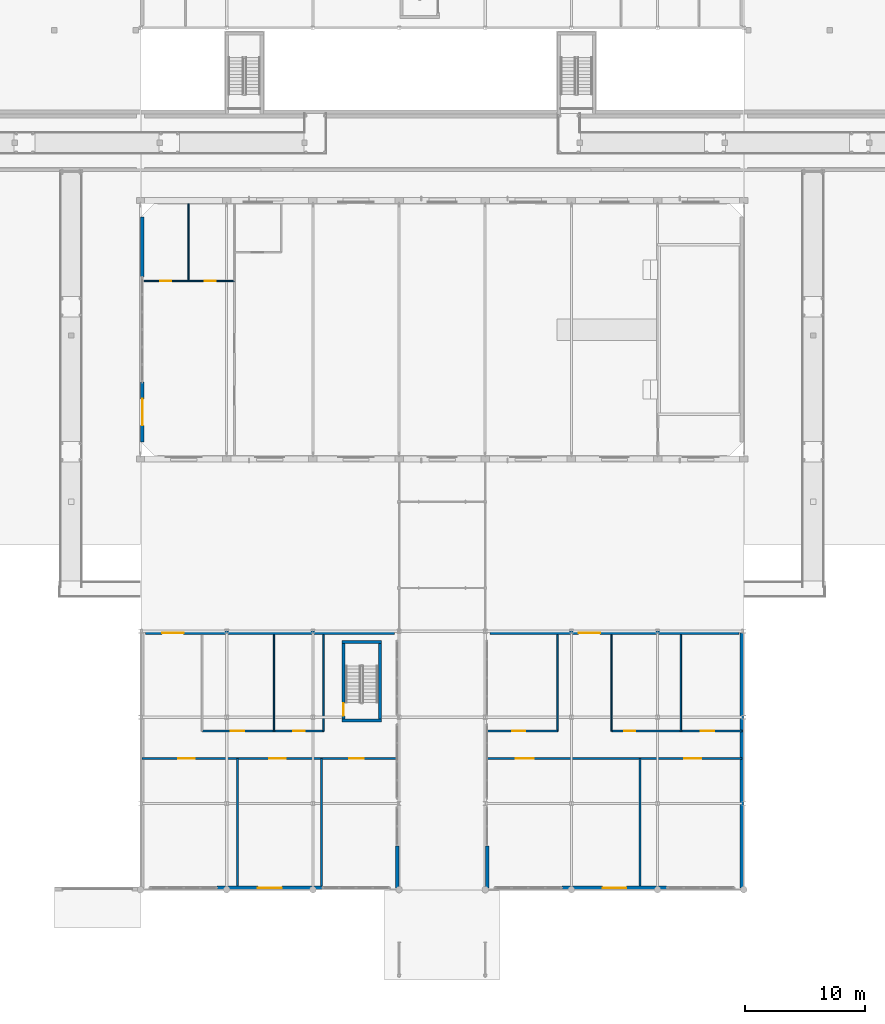
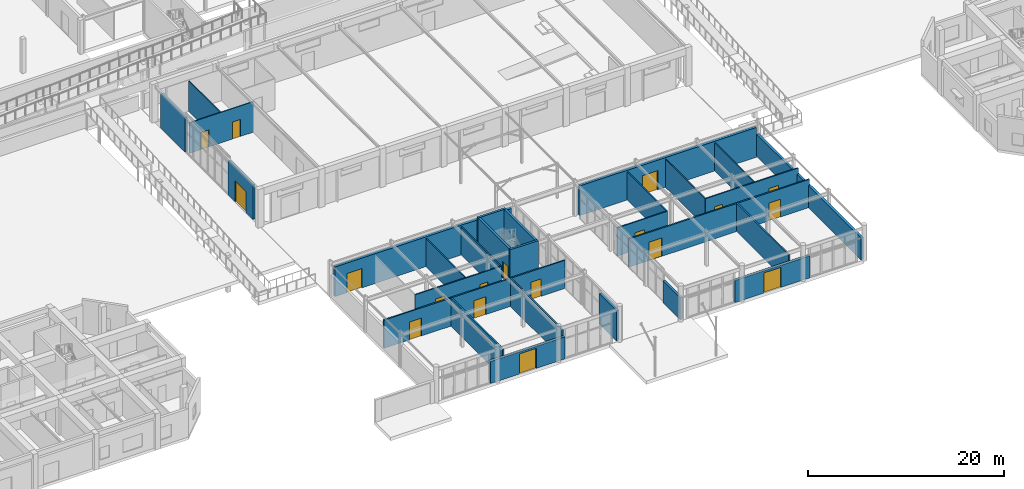
# One storey, part 57 of 85: 28 walls, 18 doors, 18 openings.
"""IFC4 building model written with IfcOpenShell, lengths in metres."""

from ifc_helpers import new_model, si_unit, direction, frame, frame_2d, origin, place, context, subcontext, project, spatial, rectangle, extrude, material, layer, layer_set, type_object, element, fill, save


model = new_model("IFC4")

# Units and contexts
model_context = context("Model", 3, precision=1e-05, world=origin(), true_north=direction((0.0, 1.0)))
body_context = subcontext(model_context, "Body", "Model", "MODEL_VIEW")
ifc_project = project(units=[si_unit("LENGTHUNIT", "METRE"), si_unit("AREAUNIT", "SQUARE_METRE"), si_unit("VOLUMEUNIT", "CUBIC_METRE"), si_unit("PLANEANGLEUNIT", "RADIAN"), si_unit("MASSUNIT", "GRAM", prefix="KILO")], contexts=[model_context])

# Site, building, storey
site_placement = place(None, origin())
site = spatial("IfcSite", under=ifc_project, at=site_placement, CompositionType="ELEMENT")
building_placement = place(site_placement, origin())
building = spatial("IfcBuilding", under=site, at=building_placement, Name="Ochrevale Crest", CompositionType="ELEMENT")
storey_placement = place(building_placement, origin())
storey = spatial("IfcBuildingStorey", under=building, at=storey_placement, Name="L00", CompositionType="ELEMENT", Elevation=0.0)

# Wall, openings, doors
ifc_material_1 = material(Name="Gypsum plasterboard", Category="gypsum")
ifc_layer_1 = layer(ifc_material_1, 0.139892578125)
ifc_layer_set_1 = layer_set([ifc_layer_1], Name="Gypsum plasterboard")
wall_type_1 = type_object("IfcWallType", Name="WL-COR-140", PredefinedType="PARTITIONING", material=ifc_layer_set_1)
wall_1_placement = place(storey_placement, frame((62.75, 20.449951171875, 0.0), z_axis=(0.0, 0.0, 1.0), x_axis=(1.0, 0.0, 0.0)))
wall_1 = element("IfcWall", 1, at=wall_1_placement, inside=storey, type_object=wall_type_1, Name="West service corridor wall", PredefinedType="PARTITIONING", context=body_context, shape_type="SweptSolid", body=[
    extrude(rectangle(XDim=10.14990234375, YDim=0.139892578125, at=frame_2d((5.074951171875, 0.0))), origin(), (0.0, 0.0, 1.0), 3.5),
])
opening_1_placement = place(wall_1_placement, frame((2.39990234375, 0.0, 0.0)))
opening_1 = element("IfcOpeningElement", 2, at=opening_1_placement, cuts=wall_1, Name="Opening ID08", PredefinedType="OPENING", context=body_context, shape_type="SweptSolid", body=[
    extrude(rectangle(XDim=1.10009765625, YDim=2.14990234375, at=frame_2d((0.550048828125, 1.074951171875))), frame((0.0, 0.080078125, 0.0), z_axis=(0.0, -1.0, 0.0), x_axis=(1.0, 0.0, 0.0)), (0.0, 0.0, 1.0), 0.159912109375),
])
opening_2_placement = place(wall_1_placement, frame((8.550048828125, 0.0, 0.0), z_axis=(0.0, 0.0, 1.0), x_axis=(-1.0, 0.0, 0.0)))
opening_2 = element("IfcOpeningElement", 3, at=opening_2_placement, cuts=wall_1, Name="Opening ID05", PredefinedType="OPENING", context=body_context, shape_type="SweptSolid", body=[
    extrude(rectangle(XDim=0.949951171875, YDim=2.1201171875, at=frame_2d((0.47509765625, 1.06005859375))), frame((0.0, 0.080078125, 0.0), z_axis=(0.0, -1.0, 0.0), x_axis=(1.0, 0.0, 0.0)), (0.0, 0.0, 1.0), 0.159912109375),
])
ifc_material_2 = material(Name="Solid-core FSC hardwood", Category="wood")
door_type_1 = type_object("IfcDoorType", Name="DR-INT-1100", OperationType="NOTDEFINED", PredefinedType="DOOR", material=ifc_material_2)
door_1_placement = place(opening_1_placement, origin())
door_1 = element("IfcDoor", 4, at=door_1_placement, inside=storey, type_object=door_type_1, Name="Grocer stockroom door", OperationType="SINGLE_SWING_LEFT", OverallHeight=2.14990234375, OverallWidth=1.10009765625, PredefinedType="DOOR", context=body_context, shape_type="SweptSolid", body=[
    extrude(rectangle(XDim=1.10009765625, YDim=2.14990234375, at=frame_2d((0.550048828125, 1.074951171875))), frame((0.0, 0.02490234375, 0.0), z_axis=(0.0, -1.0, 0.0), x_axis=(1.0, 0.0, 0.0)), (0.0, 0.0, 1.0), 0.050048828125),
])
fill(opening_1, door_1)
door_type_2 = type_object("IfcDoorType", Name="DR-WC-950", OperationType="NOTDEFINED", PredefinedType="DOOR", material=ifc_material_2)
door_2_placement = place(opening_2_placement, origin())
door_2 = element("IfcDoor", 5, at=door_2_placement, inside=storey, type_object=door_type_2, Name="West Arcade Accessible WC door", OperationType="SINGLE_SWING_RIGHT", OverallHeight=2.1201171875, OverallWidth=0.949951171875, PredefinedType="DOOR", context=body_context, shape_type="SweptSolid", body=[
    extrude(rectangle(XDim=0.949951171875, YDim=2.1201171875, at=frame_2d((0.47509765625, 1.06005859375))), frame((0.0, 0.02490234375, 0.0), z_axis=(0.0, -1.0, 0.0), x_axis=(1.0, 0.0, 0.0)), (0.0, 0.0, 1.0), 0.050048828125),
])
fill(opening_2, door_2)

# Wall, opening, door
wall_2_placement = place(storey_placement, frame((86.5400390625, 20.449951171875, 0.0), z_axis=(0.0, 0.0, 1.0), x_axis=(1.0, 0.0, 0.0)))
wall_2 = element("IfcWall", 6, at=wall_2_placement, inside=storey, type_object=wall_type_1, Name="Cafe kitchen corridor wall", PredefinedType="PARTITIONING", context=body_context, shape_type="SweptSolid", body=[
    extrude(rectangle(XDim=5.909912109375, YDim=0.139892578125, at=frame_2d((2.955078125, 0.0))), origin(), (0.0, 0.0, 1.0), 3.5),
])
opening_3_placement = place(wall_2_placement, frame((2.10009765625, 0.0, 0.0)))
opening_3 = element("IfcOpeningElement", 7, at=opening_3_placement, cuts=wall_2, Name="Opening ID08", PredefinedType="OPENING", context=body_context, shape_type="SweptSolid", body=[
    extrude(rectangle(XDim=1.10009765625, YDim=2.14990234375, at=frame_2d((0.550048828125, 1.074951171875))), frame((0.0, 0.080078125, 0.0), z_axis=(0.0, -1.0, 0.0), x_axis=(1.0, 0.0, 0.0)), (0.0, 0.0, 1.0), 0.159912109375),
])
door_3_placement = place(opening_3_placement, origin())
door_3 = element("IfcDoor", 8, at=door_3_placement, inside=storey, type_object=door_type_1, Name="Cafe kitchen door", OperationType="SINGLE_SWING_LEFT", OverallHeight=2.14990234375, OverallWidth=1.10009765625, PredefinedType="DOOR", context=body_context, shape_type="SweptSolid", body=[
    extrude(rectangle(XDim=1.10009765625, YDim=2.14990234375, at=frame_2d((0.550048828125, 1.074951171875))), frame((0.0, 0.02490234375, 0.0), z_axis=(0.0, -1.0, 0.0), x_axis=(1.0, 0.0, 0.0)), (0.0, 0.0, 1.0), 0.050048828125),
])
fill(opening_3, door_3)

# Wall, openings, doors
wall_3_placement = place(storey_placement, frame((96.949951171875, 20.449951171875, 0.0), z_axis=(0.0, 0.0, 1.0), x_axis=(1.0, 0.0, 0.0)))
wall_3 = element("IfcWall", 9, at=wall_3_placement, inside=storey, type_object=wall_type_1, Name="East WC & Fire Control wall", PredefinedType="PARTITIONING", context=body_context, shape_type="SweptSolid", body=[
    extrude(rectangle(XDim=10.91015625, YDim=0.139892578125, at=frame_2d((5.455078125, 0.0))), origin(), (0.0, 0.0, 1.0), 3.5),
])
opening_4_placement = place(wall_3_placement, frame((2.0, 0.0, 0.0), z_axis=(0.0, 0.0, 1.0), x_axis=(-1.0, 0.0, 0.0)))
opening_4 = element("IfcOpeningElement", 10, at=opening_4_placement, cuts=wall_3, Name="Opening ID05", PredefinedType="OPENING", context=body_context, shape_type="SweptSolid", body=[
    extrude(rectangle(XDim=0.949951171875, YDim=2.1201171875, at=frame_2d((0.47509765625, 1.06005859375))), frame((0.0, 0.080078125, 0.0), z_axis=(0.0, -1.0, 0.0), x_axis=(1.0, 0.0, 0.0)), (0.0, 0.0, 1.0), 0.159912109375),
])
opening_5_placement = place(wall_3_placement, frame((7.449951171875, 0.0, 0.0)))
opening_5 = element("IfcOpeningElement", 11, at=opening_5_placement, cuts=wall_3, Name="Opening FD04", PredefinedType="OPENING", context=body_context, shape_type="SweptSolid", body=[
    extrude(rectangle(XDim=1.1201171875, YDim=2.14990234375, at=frame_2d((0.56005859375, 1.074951171875))), frame((0.0, 0.080078125, 0.0), z_axis=(0.0, -1.0, 0.0), x_axis=(1.0, 0.0, 0.0)), (0.0, 0.0, 1.0), 0.159912109375),
])
door_type_3 = type_object("IfcDoorType", Name="DR-FD-1100", OperationType="NOTDEFINED", PredefinedType="DOOR", material=ifc_material_2)
door_4_placement = place(opening_5_placement, origin())
door_4 = element("IfcDoor", 12, at=door_4_placement, inside=storey, type_object=door_type_3, Name="Estate Fire Control Room door", OperationType="SINGLE_SWING_LEFT", OverallHeight=2.14990234375, OverallWidth=1.1201171875, PredefinedType="DOOR", context=body_context, shape_type="SweptSolid", body=[
    extrude(rectangle(XDim=1.1201171875, YDim=2.14990234375, at=frame_2d((0.56005859375, 1.074951171875))), frame((0.0, 0.02490234375, 0.0), z_axis=(0.0, -1.0, 0.0), x_axis=(1.0, 0.0, 0.0)), (0.0, 0.0, 1.0), 0.050048828125),
])
fill(opening_5, door_4)
door_5_placement = place(opening_4_placement, origin())
door_5 = element("IfcDoor", 13, at=door_5_placement, inside=storey, type_object=door_type_2, Name="Cafe Accessible WC door", OperationType="SINGLE_SWING_RIGHT", OverallHeight=2.1201171875, OverallWidth=0.949951171875, PredefinedType="DOOR", context=body_context, shape_type="SweptSolid", body=[
    extrude(rectangle(XDim=0.949951171875, YDim=2.1201171875, at=frame_2d((0.47509765625, 1.06005859375))), frame((0.0, 0.02490234375, 0.0), z_axis=(0.0, -1.0, 0.0), x_axis=(1.0, 0.0, 0.0)), (0.0, 0.0, 1.0), 0.050048828125),
])
fill(opening_4, door_5)

# Walls
ifc_material_3 = material(Name="Precast concrete C50/60", Category="concrete")
ifc_layer_2 = layer(ifc_material_3, 0.2548828125)
ifc_layer_set_2 = layer_set([ifc_layer_2], Name="Precast concrete C50/60")
wall_type_2 = type_object("IfcWallType", Name="WL-CORE-255", PredefinedType="SHEAR", material=ifc_layer_set_2)
for number, where, z_axis, x_axis, name in (
    (14, (74.422607421875, 21.35009765625, 0.0), (0.0, 0.0, 1.0), (1.0, 0.0, 0.0), "Retail stair core wall L00-S"),
    (15, (74.422607421875, 27.89990234375, 0.0), (0.0, 0.0, 1.0), (1.0, 0.0, 0.0), "Retail stair core wall L00-N"),
):
    element("IfcWall", number, at=place(storey_placement, frame(where, z_axis=z_axis, x_axis=x_axis)), inside=storey, type_object=wall_type_2, Name=name, PredefinedType="SHEAR", context=body_context, shape_type="SweptSolid", body=[
        extrude(rectangle(XDim=3.304931640625, YDim=0.2548828125, at=frame_2d((1.65234375, 0.0))), origin(), (0.0, 0.0, 1.0), 4.5),
    ])

# Wall, opening, door
wall_4_placement = place(storey_placement, frame((74.550048828125, 21.4775390625, 0.0), z_axis=(0.0, 0.0, 1.0), x_axis=(0.0, 1.0, 0.0)))
wall_4 = element("IfcWall", 16, at=wall_4_placement, inside=storey, type_object=wall_type_2, Name="Retail stair core wall L00-W", PredefinedType="SHEAR", context=body_context, shape_type="SweptSolid", body=[
    extrude(rectangle(XDim=6.294921875, YDim=0.2548828125, at=frame_2d((3.1474609375, 0.0))), origin(), (0.0, 0.0, 1.0), 4.5),
])
opening_6_placement = place(wall_4_placement, frame((0.25, 0.0, 0.0)))
opening_6 = element("IfcOpeningElement", 17, at=opening_6_placement, cuts=wall_4, Name="Opening FD03", PredefinedType="OPENING", context=body_context, shape_type="SweptSolid", body=[
    extrude(rectangle(XDim=1.050048828125, YDim=2.1201171875, at=frame_2d((0.52490234375, 1.06005859375))), frame((0.0, 0.137451171875, 0.0), z_axis=(0.0, -1.0, 0.0), x_axis=(1.0, 0.0, 0.0)), (0.0, 0.0, 1.0), 0.27490234375),
])
door_type_4 = type_object("IfcDoorType", Name="DR-ST-1050", OperationType="NOTDEFINED", PredefinedType="DOOR", material=ifc_material_2)
door_6_placement = place(opening_6_placement, origin())
door_6 = element("IfcDoor", 18, at=door_6_placement, inside=storey, type_object=door_type_4, Name="Retail stair ST-R1 L00 door", OperationType="SINGLE_SWING_LEFT", OverallHeight=2.1201171875, OverallWidth=1.050048828125, PredefinedType="DOOR", context=body_context, shape_type="SweptSolid", body=[
    extrude(rectangle(XDim=1.050048828125, YDim=2.1201171875, at=frame_2d((0.52490234375, 1.06005859375))), frame((0.0, 0.02490234375, 0.0), z_axis=(0.0, -1.0, 0.0), x_axis=(1.0, 0.0, 0.0)), (0.0, 0.0, 1.0), 0.050048828125),
])
fill(opening_6, door_6)

# Wall
wall_5_placement = place(storey_placement, frame((77.60009765625, 21.4775390625, 0.0), z_axis=(0.0, 0.0, 1.0), x_axis=(0.0, 1.0, 0.0)))
element("IfcWall", 19, at=wall_5_placement, inside=storey, type_object=wall_type_2, Name="Retail stair core wall L00-E", PredefinedType="SHEAR", context=body_context, shape_type="SweptSolid", body=[
    extrude(rectangle(XDim=6.294921875, YDim=0.2548828125, at=frame_2d((3.1474609375, 0.0))), origin(), (0.0, 0.0, 1.0), 4.5),
])

# Wall, opening, door
ifc_material_4 = material(Name="Clay face brickwork", Category="masonry")
ifc_layer_3 = layer(ifc_material_4, 0.2900390625)
ifc_layer_set_3 = layer_set([ifc_layer_3], Name="Clay face brickwork")
wall_type_3 = type_object("IfcWallType", Name="WL-EXT-BRICK-290", PredefinedType="SOLIDWALL", material=ifc_layer_set_3)
wall_6_placement = place(storey_placement, frame((57.75, 44.60009765625, 0.0), z_axis=(0.0, 0.0, 1.0), x_axis=(0.0, 1.0, 0.0)))
wall_6 = element("IfcWall", 20, at=wall_6_placement, inside=storey, type_object=wall_type_3, Name="Community Hall west foyer south pier wall", PredefinedType="SOLIDWALL", context=body_context, shape_type="SweptSolid", body=[
    extrude(rectangle(XDim=5.0, YDim=0.2900390625, at=frame_2d((2.5, 0.0))), origin(), (0.0, 0.0, 1.0), 4.2763671875),
])
opening_7_placement = place(wall_6_placement, frame((1.39990234375, 0.0, 0.0)))
opening_7 = element("IfcOpeningElement", 21, at=opening_7_placement, cuts=wall_6, Name="Opening ED03", PredefinedType="OPENING", context=body_context, shape_type="SweptSolid", body=[
    extrude(rectangle(XDim=2.199951171875, YDim=2.60009765625, at=frame_2d((1.10009765625, 1.300048828125))), frame((0.0, 0.155029296875, 0.0), z_axis=(0.0, -1.0, 0.0), x_axis=(1.0, 0.0, 0.0)), (0.0, 0.0, 1.0), 0.31005859375),
])
ifc_material_5 = material(Name="Anodised aluminium 6063-T5 and toughened glass", Category="aluminium")
door_type_5 = type_object("IfcDoorType", Name="DR-EXT-2200", OperationType="NOTDEFINED", PredefinedType="DOOR", material=ifc_material_5)
door_7_placement = place(opening_7_placement, origin())
door_7 = element("IfcDoor", 22, at=door_7_placement, inside=storey, type_object=door_type_5, Name="Community Hall west grand entrance door", OperationType="DOUBLE_DOOR_SINGLE_SWING", OverallHeight=2.60009765625, OverallWidth=2.199951171875, PredefinedType="DOOR", context=body_context, shape_type="SweptSolid", body=[
    extrude(rectangle(XDim=2.199951171875, YDim=2.60009765625, at=frame_2d((1.10009765625, 1.300048828125))), frame((0.0, 0.02490234375, 0.0), z_axis=(0.0, -1.0, 0.0), x_axis=(1.0, 0.0, 0.0)), (0.0, 0.0, 1.0), 0.050048828125),
])
fill(opening_7, door_7)

# Wall
wall_7_placement = place(storey_placement, frame((57.75, 58.39990234375, 0.0), z_axis=(0.0, 0.0, 1.0), x_axis=(0.0, 1.0, 0.0)))
element("IfcWall", 23, at=wall_7_placement, inside=storey, type_object=wall_type_3, Name="Community Hall west foyer north pier wall", PredefinedType="SOLIDWALL", context=body_context, shape_type="SweptSolid", body=[
    extrude(rectangle(XDim=5.0, YDim=0.2900390625, at=frame_2d((2.5, 0.0))), origin(), (0.0, 0.0, 1.0), 4.2763671875),
])

# Wall, opening, door
wall_8_placement = place(storey_placement, frame((64.0, 7.35009765625, 0.0), z_axis=(0.0, 0.0, 1.0), x_axis=(1.0, 0.0, 0.0)))
wall_8 = element("IfcWall", 24, at=wall_8_placement, inside=storey, type_object=wall_type_3, Name="Boulevard W wing central entrance brick wall", PredefinedType="SOLIDWALL", context=body_context, shape_type="SweptSolid", body=[
    extrude(rectangle(XDim=8.800048828125, YDim=0.2900390625, at=frame_2d((4.39990234375, 0.0))), origin(), (0.0, 0.0, 1.0), 2.75244140625),
])
opening_8_placement = place(wall_8_placement, frame((5.39990234375, 0.0, 0.0), z_axis=(0.0, 0.0, 1.0), x_axis=(-1.0, 0.0, 0.0)))
opening_8 = element("IfcOpeningElement", 25, at=opening_8_placement, cuts=wall_8, Name="Opening ED02", PredefinedType="OPENING", context=body_context, shape_type="SweptSolid", body=[
    extrude(rectangle(XDim=2.0, YDim=2.5, at=frame_2d((1.0, 1.25))), frame((0.0, 0.155029296875, 0.0), z_axis=(0.0, -1.0, 0.0), x_axis=(1.0, 0.0, 0.0)), (0.0, 0.0, 1.0), 0.31005859375),
])
door_type_6 = type_object("IfcDoorType", Name="DR-EXT-2000", OperationType="NOTDEFINED", PredefinedType="DOOR", material=ifc_material_5)
door_8_placement = place(opening_8_placement, origin())
door_8 = element("IfcDoor", 26, at=door_8_placement, inside=storey, type_object=door_type_6, Name="Boulevard W wing main street shop entrance door", OperationType="DOUBLE_DOOR_SINGLE_SWING", OverallHeight=2.5, OverallWidth=2.0, PredefinedType="DOOR", context=body_context, shape_type="SweptSolid", body=[
    extrude(rectangle(XDim=2.0, YDim=2.5, at=frame_2d((1.0, 1.25))), frame((0.0, 0.02490234375, 0.0), z_axis=(0.0, -1.0, 0.0), x_axis=(1.0, 0.0, 0.0)), (0.0, 0.0, 1.0), 0.050048828125),
])
fill(opening_8, door_8)

wall_9_placement = place(storey_placement, frame((58.0, 28.64990234375, 0.0), z_axis=(0.0, 0.0, 1.0), x_axis=(1.0, 0.0, 0.0)))
wall_9 = element("IfcWall", 27, at=wall_9_placement, inside=storey, type_object=wall_type_3, Name="Boulevard W wing courtyard brick wall", PredefinedType="SOLIDWALL", context=body_context, shape_type="SweptSolid", body=[
    extrude(rectangle(XDim=20.800048828125, YDim=0.2900390625, at=frame_2d((10.39990234375, 0.0))), origin(), (0.0, 0.0, 1.0), 3.701171875),
])
opening_9_placement = place(wall_9_placement, frame((1.39990234375, 0.0, 0.0)))
opening_9 = element("IfcOpeningElement", 28, at=opening_9_placement, cuts=wall_9, Name="Opening ED01", PredefinedType="OPENING", context=body_context, shape_type="SweptSolid", body=[
    extrude(rectangle(XDim=1.800048828125, YDim=2.39990234375, at=frame_2d((0.89990234375, 1.199951171875))), frame((0.0, 0.155029296875, 0.0), z_axis=(0.0, -1.0, 0.0), x_axis=(1.0, 0.0, 0.0)), (0.0, 0.0, 1.0), 0.31005859375),
])
door_type_7 = type_object("IfcDoorType", Name="DR-EXT-1800", OperationType="NOTDEFINED", PredefinedType="DOOR", material=ifc_material_5)
door_9_placement = place(opening_9_placement, origin())
door_9 = element("IfcDoor", 29, at=door_9_placement, inside=storey, type_object=door_type_7, Name="Boulevard W wing courtyard plaza entrance door", OperationType="DOUBLE_DOOR_SINGLE_SWING", OverallHeight=2.39990234375, OverallWidth=1.800048828125, PredefinedType="DOOR", context=body_context, shape_type="SweptSolid", body=[
    extrude(rectangle(XDim=1.800048828125, YDim=2.39990234375, at=frame_2d((0.89990234375, 1.199951171875))), frame((0.0, 0.02490234375, 0.0), z_axis=(0.0, -1.0, 0.0), x_axis=(1.0, 0.0, 0.0)), (0.0, 0.0, 1.0), 0.050048828125),
])
fill(opening_9, door_9)

# Wall
wall_10_placement = place(storey_placement, frame((79.050048828125, 7.35009765625, 0.0), z_axis=(0.0, 0.0, 1.0), x_axis=(0.0, 1.0, 0.0)))
element("IfcWall", 30, at=wall_10_placement, inside=storey, type_object=wall_type_3, Name="Covered passage W entrance portal brick pier", PredefinedType="SOLIDWALL", context=body_context, shape_type="SweptSolid", body=[
    extrude(rectangle(XDim=3.5, YDim=0.2900390625, at=frame_2d((1.75, 0.0))), origin(), (0.0, 0.0, 1.0), 3.77490234375),
])

# Wall, opening, door
wall_11_placement = place(storey_placement, frame((92.800048828125, 7.35009765625, 0.0), z_axis=(0.0, 0.0, 1.0), x_axis=(1.0, 0.0, 0.0)))
wall_11 = element("IfcWall", 31, at=wall_11_placement, inside=storey, type_object=wall_type_3, Name="Boulevard E wing central entrance brick wall", PredefinedType="SOLIDWALL", context=body_context, shape_type="SweptSolid", body=[
    extrude(rectangle(XDim=8.800048828125, YDim=0.2900390625, at=frame_2d((4.39990234375, 0.0))), origin(), (0.0, 0.0, 1.0), 2.75244140625),
])
opening_10_placement = place(wall_11_placement, frame((5.39990234375, 0.0, 0.0), z_axis=(0.0, 0.0, 1.0), x_axis=(-1.0, 0.0, 0.0)))
opening_10 = element("IfcOpeningElement", 32, at=opening_10_placement, cuts=wall_11, Name="Opening ED02", PredefinedType="OPENING", context=body_context, shape_type="SweptSolid", body=[
    extrude(rectangle(XDim=2.0, YDim=2.5, at=frame_2d((1.0, 1.25))), frame((0.0, 0.155029296875, 0.0), z_axis=(0.0, -1.0, 0.0), x_axis=(1.0, 0.0, 0.0)), (0.0, 0.0, 1.0), 0.31005859375),
])
door_10_placement = place(opening_10_placement, origin())
door_10 = element("IfcDoor", 33, at=door_10_placement, inside=storey, type_object=door_type_6, Name="Boulevard E wing main street shop entrance door", OperationType="DOUBLE_DOOR_SINGLE_SWING", OverallHeight=2.5, OverallWidth=2.0, PredefinedType="DOOR", context=body_context, shape_type="SweptSolid", body=[
    extrude(rectangle(XDim=2.0, YDim=2.5, at=frame_2d((1.0, 1.25))), frame((0.0, 0.02490234375, 0.0), z_axis=(0.0, -1.0, 0.0), x_axis=(1.0, 0.0, 0.0)), (0.0, 0.0, 1.0), 0.050048828125),
])
fill(opening_10, door_10)

wall_12_placement = place(storey_placement, frame((86.800048828125, 28.64990234375, 0.0), z_axis=(0.0, 0.0, 1.0), x_axis=(1.0, 0.0, 0.0)))
wall_12 = element("IfcWall", 34, at=wall_12_placement, inside=storey, type_object=wall_type_3, Name="Boulevard E wing courtyard brick wall", PredefinedType="SOLIDWALL", context=body_context, shape_type="SweptSolid", body=[
    extrude(rectangle(XDim=20.800048828125, YDim=0.2900390625, at=frame_2d((10.39990234375, 0.0))), origin(), (0.0, 0.0, 1.0), 3.701171875),
])
opening_11_placement = place(wall_12_placement, frame((7.39990234375, 0.0, 0.0)))
opening_11 = element("IfcOpeningElement", 35, at=opening_11_placement, cuts=wall_12, Name="Opening ED01", PredefinedType="OPENING", context=body_context, shape_type="SweptSolid", body=[
    extrude(rectangle(XDim=1.800048828125, YDim=2.39990234375, at=frame_2d((0.89990234375, 1.199951171875))), frame((0.0, 0.155029296875, 0.0), z_axis=(0.0, -1.0, 0.0), x_axis=(1.0, 0.0, 0.0)), (0.0, 0.0, 1.0), 0.31005859375),
])
door_11_placement = place(opening_11_placement, origin())
door_11 = element("IfcDoor", 36, at=door_11_placement, inside=storey, type_object=door_type_7, Name="Boulevard E wing courtyard plaza entrance door", OperationType="DOUBLE_DOOR_SINGLE_SWING", OverallHeight=2.39990234375, OverallWidth=1.800048828125, PredefinedType="DOOR", context=body_context, shape_type="SweptSolid", body=[
    extrude(rectangle(XDim=1.800048828125, YDim=2.39990234375, at=frame_2d((0.89990234375, 1.199951171875))), frame((0.0, 0.02490234375, 0.0), z_axis=(0.0, -1.0, 0.0), x_axis=(1.0, 0.0, 0.0)), (0.0, 0.0, 1.0), 0.050048828125),
])
fill(opening_11, door_11)

# Walls
wall_13_placement = place(storey_placement, frame((107.85009765625, 7.35009765625, 0.0), z_axis=(0.0, 0.0, 1.0), x_axis=(0.0, 1.0, 0.0)))
element("IfcWall", 37, at=wall_13_placement, inside=storey, type_object=wall_type_3, Name="Boulevard E wing outer end brick wall", PredefinedType="SOLIDWALL", context=body_context, shape_type="SweptSolid", body=[
    extrude(rectangle(XDim=21.2998046875, YDim=0.2900390625, at=frame_2d((10.64990234375, 0.0))), origin(), (0.0, 0.0, 1.0), 2.75244140625),
])
wall_14_placement = place(storey_placement, frame((86.550048828125, 7.35009765625, 0.0), z_axis=(0.0, 0.0, 1.0), x_axis=(0.0, 1.0, 0.0)))
element("IfcWall", 38, at=wall_14_placement, inside=storey, type_object=wall_type_3, Name="Covered passage E entrance portal brick pier", PredefinedType="SOLIDWALL", context=body_context, shape_type="SweptSolid", body=[
    extrude(rectangle(XDim=3.5, YDim=0.2900390625, at=frame_2d((1.75, 0.0))), origin(), (0.0, 0.0, 1.0), 2.75244140625),
])
ifc_layer_4 = layer(ifc_material_1, 0.1201171875)
ifc_layer_set_4 = layer_set([ifc_layer_4], Name="Gypsum plasterboard")
wall_type_4 = type_object("IfcWallType", Name="WL-PART-120", PredefinedType="PARTITIONING", material=ifc_layer_set_4)
for number, where, z_axis, x_axis, name in (
    (39, (68.75, 20.449951171875, 0.0), (0.0, 0.0, 1.0), (0.0, 1.0, 0.0), "West service divider"),
    (40, (72.89990234375, 20.449951171875, 0.0), (0.0, 0.0, 1.0), (0.0, 1.0, 0.0), "West service divider"),
    (41, (92.449951171875, 20.449951171875, 0.0), (0.0, 0.0, 1.0), (0.0, 1.0, 0.0), "East service divider"),
    (42, (96.949951171875, 20.449951171875, 0.0), (0.0, 0.0, 1.0), (0.0, 1.0, 0.0), "East service divider"),
    (43, (102.75, 20.449951171875, 0.0), (0.0, 0.0, 1.0), (0.0, 1.0, 0.0), "East service divider"),
):
    element("IfcWall", number, at=place(storey_placement, frame(where, z_axis=z_axis, x_axis=x_axis)), inside=storey, type_object=wall_type_4, Name=name, PredefinedType="PARTITIONING", context=body_context, shape_type="SweptSolid", body=[
        extrude(rectangle(XDim=8.050048828125, YDim=0.1201171875, at=frame_2d((4.02490234375, 0.0))), origin(), (0.0, 0.0, 1.0), 3.5),
    ])

# Wall, openings, doors
ifc_layer_5 = layer(ifc_material_1, 0.169921875)
ifc_layer_set_5 = layer_set([ifc_layer_5], Name="Gypsum plasterboard")
wall_type_5 = type_object("IfcWallType", Name="WL-TEN-170", PredefinedType="PARTITIONING", material=ifc_layer_set_5)
wall_15_placement = place(storey_placement, frame((57.739990234375, 18.14990234375, 0.0), z_axis=(0.0, 0.0, 1.0), x_axis=(1.0, 0.0, 0.0)))
wall_15 = element("IfcWall", 44, at=wall_15_placement, inside=storey, type_object=wall_type_5, Name="West shops corridor wall", PredefinedType="PARTITIONING", context=body_context, shape_type="SweptSolid", body=[
    extrude(rectangle(XDim=21.320068359375, YDim=0.169921875, at=frame_2d((10.66015625, 0.0))), origin(), (0.0, 0.0, 1.0), 3.5),
])
opening_12_placement = place(wall_15_placement, frame((3.0, 0.0, 0.0)))
opening_12 = element("IfcOpeningElement", 45, at=opening_12_placement, cuts=wall_15, Name="Opening ID10", PredefinedType="OPENING", context=body_context, shape_type="SweptSolid", body=[
    extrude(rectangle(XDim=1.39990234375, YDim=2.219970703125, at=frame_2d((0.699951171875, 1.10986328125))), frame((0.0, 0.094970703125, 0.0), z_axis=(0.0, -1.0, 0.0), x_axis=(1.0, 0.0, 0.0)), (0.0, 0.0, 1.0), 0.18994140625),
])
opening_13_placement = place(wall_15_placement, frame((10.60009765625, 0.0, 0.0)))
opening_13 = element("IfcOpeningElement", 46, at=opening_13_placement, cuts=wall_15, Name="Opening ID10", PredefinedType="OPENING", context=body_context, shape_type="SweptSolid", body=[
    extrude(rectangle(XDim=1.39990234375, YDim=2.219970703125, at=frame_2d((0.699951171875, 1.10986328125))), frame((0.0, 0.094970703125, 0.0), z_axis=(0.0, -1.0, 0.0), x_axis=(1.0, 0.0, 0.0)), (0.0, 0.0, 1.0), 0.18994140625),
])
opening_14_placement = place(wall_15_placement, frame((18.5, 0.0, 0.0), z_axis=(0.0, 0.0, 1.0), x_axis=(-1.0, 0.0, 0.0)))
opening_14 = element("IfcOpeningElement", 47, at=opening_14_placement, cuts=wall_15, Name="Opening ID09", PredefinedType="OPENING", context=body_context, shape_type="SweptSolid", body=[
    extrude(rectangle(XDim=1.199951171875, YDim=2.179931640625, at=frame_2d((0.60009765625, 1.08984375))), frame((0.0, 0.094970703125, 0.0), z_axis=(0.0, -1.0, 0.0), x_axis=(1.0, 0.0, 0.0)), (0.0, 0.0, 1.0), 0.18994140625),
])
door_type_8 = type_object("IfcDoorType", Name="DR-INT-1200", OperationType="NOTDEFINED", PredefinedType="DOOR", material=ifc_material_2)
door_12_placement = place(opening_14_placement, origin())
door_12 = element("IfcDoor", 48, at=door_12_placement, inside=storey, type_object=door_type_8, Name="Pharmacy corridor door", OperationType="SINGLE_SWING_RIGHT", OverallHeight=2.179931640625, OverallWidth=1.199951171875, PredefinedType="DOOR", context=body_context, shape_type="SweptSolid", body=[
    extrude(rectangle(XDim=1.199951171875, YDim=2.179931640625, at=frame_2d((0.60009765625, 1.08984375))), frame((0.0, 0.02490234375, 0.0), z_axis=(0.0, -1.0, 0.0), x_axis=(1.0, 0.0, 0.0)), (0.0, 0.0, 1.0), 0.050048828125),
])
fill(opening_14, door_12)
door_type_9 = type_object("IfcDoorType", Name="DR-INT-1400", OperationType="NOTDEFINED", PredefinedType="DOOR", material=ifc_material_2)
door_13_placement = place(opening_12_placement, origin())
door_13 = element("IfcDoor", 49, at=door_13_placement, inside=storey, type_object=door_type_9, Name="Grocer shop corridor door", OperationType="DOUBLE_DOOR_SINGLE_SWING", OverallHeight=2.219970703125, OverallWidth=1.39990234375, PredefinedType="DOOR", context=body_context, shape_type="SweptSolid", body=[
    extrude(rectangle(XDim=1.39990234375, YDim=2.219970703125, at=frame_2d((0.699951171875, 1.10986328125))), frame((0.0, 0.02490234375, 0.0), z_axis=(0.0, -1.0, 0.0), x_axis=(1.0, 0.0, 0.0)), (0.0, 0.0, 1.0), 0.050048828125),
])
fill(opening_12, door_13)
door_14_placement = place(opening_13_placement, origin())
door_14 = element("IfcDoor", 50, at=door_14_placement, inside=storey, type_object=door_type_9, Name="Bakery shop corridor door", OperationType="DOUBLE_DOOR_SINGLE_SWING", OverallHeight=2.219970703125, OverallWidth=1.39990234375, PredefinedType="DOOR", context=body_context, shape_type="SweptSolid", body=[
    extrude(rectangle(XDim=1.39990234375, YDim=2.219970703125, at=frame_2d((0.699951171875, 1.10986328125))), frame((0.0, 0.02490234375, 0.0), z_axis=(0.0, -1.0, 0.0), x_axis=(1.0, 0.0, 0.0)), (0.0, 0.0, 1.0), 0.050048828125),
])
fill(opening_13, door_14)

# Walls
for number, where, z_axis, x_axis, name in (
    (51, (65.699951171875, 7.5, 0.0), (0.0, 0.0, 1.0), (0.0, 1.0, 0.0), "Grocer-Bakery tenancy wall"),
    (52, (72.699951171875, 7.5, 0.0), (0.0, 0.0, 1.0), (0.0, 1.0, 0.0), "Bakery-Pharmacy tenancy wall"),
):
    element("IfcWall", number, at=place(storey_placement, frame(where, z_axis=z_axis, x_axis=x_axis)), inside=storey, type_object=wall_type_5, Name=name, PredefinedType="PARTITIONING", context=body_context, shape_type="SweptSolid", body=[
        extrude(rectangle(XDim=10.64990234375, YDim=0.169921875, at=frame_2d((5.324951171875, 0.0))), origin(), (0.0, 0.0, 1.0), 3.5),
    ])

# Wall, openings, doors
wall_16_placement = place(storey_placement, frame((86.5400390625, 18.14990234375, 0.0), z_axis=(0.0, 0.0, 1.0), x_axis=(1.0, 0.0, 0.0)))
wall_16 = element("IfcWall", 53, at=wall_16_placement, inside=storey, type_object=wall_type_5, Name="East cafe corridor wall", PredefinedType="PARTITIONING", context=body_context, shape_type="SweptSolid", body=[
    extrude(rectangle(XDim=21.320068359375, YDim=0.169921875, at=frame_2d((10.66015625, 0.0))), origin(), (0.0, 0.0, 1.0), 3.5),
])
opening_15_placement = place(wall_16_placement, frame((3.89990234375, 0.0, 0.0), z_axis=(0.0, 0.0, 1.0), x_axis=(-1.0, 0.0, 0.0)))
opening_15 = element("IfcOpeningElement", 54, at=opening_15_placement, cuts=wall_16, Name="Opening ID11", PredefinedType="OPENING", context=body_context, shape_type="SweptSolid", body=[
    extrude(rectangle(XDim=1.5, YDim=2.280029296875, at=frame_2d((0.75, 1.14013671875))), frame((0.0, 0.094970703125, 0.0), z_axis=(0.0, -1.0, 0.0), x_axis=(1.0, 0.0, 0.0)), (0.0, 0.0, 1.0), 0.18994140625),
])
opening_16_placement = place(wall_16_placement, frame((17.89990234375, 0.0, 0.0), z_axis=(0.0, 0.0, 1.0), x_axis=(-1.0, 0.0, 0.0)))
opening_16 = element("IfcOpeningElement", 55, at=opening_16_placement, cuts=wall_16, Name="Opening ID10", PredefinedType="OPENING", context=body_context, shape_type="SweptSolid", body=[
    extrude(rectangle(XDim=1.39990234375, YDim=2.219970703125, at=frame_2d((0.699951171875, 1.10986328125))), frame((0.0, 0.094970703125, 0.0), z_axis=(0.0, -1.0, 0.0), x_axis=(1.0, 0.0, 0.0)), (0.0, 0.0, 1.0), 0.18994140625),
])
door_15_placement = place(opening_16_placement, origin())
door_15 = element("IfcDoor", 56, at=door_15_placement, inside=storey, type_object=door_type_9, Name="Bookshop corridor door", OperationType="DOUBLE_DOOR_SINGLE_SWING", OverallHeight=2.219970703125, OverallWidth=1.39990234375, PredefinedType="DOOR", context=body_context, shape_type="SweptSolid", body=[
    extrude(rectangle(XDim=1.39990234375, YDim=2.219970703125, at=frame_2d((0.699951171875, 1.10986328125))), frame((0.0, 0.02490234375, 0.0), z_axis=(0.0, -1.0, 0.0), x_axis=(1.0, 0.0, 0.0)), (0.0, 0.0, 1.0), 0.050048828125),
])
fill(opening_16, door_15)
door_type_10 = type_object("IfcDoorType", Name="DR-INT-1500", OperationType="NOTDEFINED", PredefinedType="DOOR", material=ifc_material_2)
door_16_placement = place(opening_15_placement, origin())
door_16 = element("IfcDoor", 57, at=door_16_placement, inside=storey, type_object=door_type_10, Name="Corner Cafe corridor door", OperationType="DOUBLE_DOOR_SINGLE_SWING", OverallHeight=2.280029296875, OverallWidth=1.5, PredefinedType="DOOR", context=body_context, shape_type="SweptSolid", body=[
    extrude(rectangle(XDim=1.5, YDim=2.280029296875, at=frame_2d((0.75, 1.14013671875))), frame((0.0, 0.02490234375, 0.0), z_axis=(0.0, -1.0, 0.0), x_axis=(1.0, 0.0, 0.0)), (0.0, 0.0, 1.0), 0.050048828125),
])
fill(opening_15, door_16)

# Wall
wall_17_placement = place(storey_placement, frame((99.35009765625, 7.5, 0.0), z_axis=(0.0, 0.0, 1.0), x_axis=(0.0, 1.0, 0.0)))
element("IfcWall", 58, at=wall_17_placement, inside=storey, type_object=wall_type_5, Name="Cafe-Bookshop tenancy wall", PredefinedType="PARTITIONING", context=body_context, shape_type="SweptSolid", body=[
    extrude(rectangle(XDim=10.64990234375, YDim=0.169921875, at=frame_2d((5.324951171875, 0.0))), origin(), (0.0, 0.0, 1.0), 3.5),
])

# Wall, openings, doors
ifc_layer_6 = layer(ifc_material_1, 0.10009765625)
ifc_layer_set_6 = layer_set([ifc_layer_6], Name="Gypsum plasterboard")
wall_type_6 = type_object("IfcWallType", Name="WL-WET-100", PredefinedType="PARTITIONING", material=ifc_layer_set_6)
wall_18_placement = place(storey_placement, frame((57.89990234375, 58.050048828125, 0.0), z_axis=(0.0, 0.0, 1.0), x_axis=(1.0, 0.0, 0.0)))
wall_18 = element("IfcWall", 59, at=wall_18_placement, inside=storey, type_object=wall_type_6, Name="Hall WC front wall", PredefinedType="PARTITIONING", context=body_context, shape_type="SweptSolid", body=[
    extrude(rectangle(XDim=7.550048828125, YDim=0.10009765625, at=frame_2d((3.77490234375, 0.0))), origin(), (0.0, 0.0, 1.0), 3.800048828125),
])
opening_17_placement = place(wall_18_placement, frame((2.27001953125, 0.0, 0.0), z_axis=(0.0, 0.0, 1.0), x_axis=(-1.0, 0.0, 0.0)))
opening_17 = element("IfcOpeningElement", 60, at=opening_17_placement, cuts=wall_18, Name="Opening ID03", PredefinedType="OPENING", context=body_context, shape_type="SweptSolid", body=[
    extrude(rectangle(XDim=0.919921875, YDim=2.1201171875, at=frame_2d((0.4599609375, 1.06005859375))), frame((0.0, 0.06005859375, 0.0), z_axis=(0.0, -1.0, 0.0), x_axis=(1.0, 0.0, 0.0)), (0.0, 0.0, 1.0), 0.1201171875),
])
opening_18_placement = place(wall_18_placement, frame((5.050048828125, 0.0, 0.0)))
opening_18 = element("IfcOpeningElement", 61, at=opening_18_placement, cuts=wall_18, Name="Opening ID03", PredefinedType="OPENING", context=body_context, shape_type="SweptSolid", body=[
    extrude(rectangle(XDim=0.919921875, YDim=2.1201171875, at=frame_2d((0.4599609375, 1.06005859375))), frame((0.0, 0.06005859375, 0.0), z_axis=(0.0, -1.0, 0.0), x_axis=(1.0, 0.0, 0.0)), (0.0, 0.0, 1.0), 0.1201171875),
])
door_type_11 = type_object("IfcDoorType", Name="DR-WC-920", OperationType="NOTDEFINED", PredefinedType="DOOR", material=ifc_material_2)
door_17_placement = place(opening_17_placement, origin())
door_17 = element("IfcDoor", 62, at=door_17_placement, inside=storey, type_object=door_type_11, Name="Hall Male WC door", OperationType="SINGLE_SWING_RIGHT", OverallHeight=2.1201171875, OverallWidth=0.919921875, PredefinedType="DOOR", context=body_context, shape_type="SweptSolid", body=[
    extrude(rectangle(XDim=0.919921875, YDim=2.1201171875, at=frame_2d((0.4599609375, 1.06005859375))), frame((0.0, 0.02490234375, 0.0), z_axis=(0.0, -1.0, 0.0), x_axis=(1.0, 0.0, 0.0)), (0.0, 0.0, 1.0), 0.050048828125),
])
fill(opening_17, door_17)
door_18_placement = place(opening_18_placement, origin())
door_18 = element("IfcDoor", 63, at=door_18_placement, inside=storey, type_object=door_type_11, Name="Hall Female WC door", OperationType="SINGLE_SWING_LEFT", OverallHeight=2.1201171875, OverallWidth=0.919921875, PredefinedType="DOOR", context=body_context, shape_type="SweptSolid", body=[
    extrude(rectangle(XDim=0.919921875, YDim=2.1201171875, at=frame_2d((0.4599609375, 1.06005859375))), frame((0.0, 0.02490234375, 0.0), z_axis=(0.0, -1.0, 0.0), x_axis=(1.0, 0.0, 0.0)), (0.0, 0.0, 1.0), 0.050048828125),
])
fill(opening_18, door_18)

# Wall
wall_19_placement = place(storey_placement, frame((61.60009765625, 58.050048828125, 0.0), z_axis=(0.0, 0.0, 1.0), x_axis=(0.0, 1.0, 0.0)))
element("IfcWall", 64, at=wall_19_placement, inside=storey, type_object=wall_type_6, Name="Hall WC divider wall", PredefinedType="PARTITIONING", context=body_context, shape_type="SweptSolid", body=[
    extrude(rectangle(XDim=6.449951171875, YDim=0.10009765625, at=frame_2d((3.22509765625, 0.0))), origin(), (0.0, 0.0, 1.0), 3.800048828125),
])

save(model, "model.ifc")
